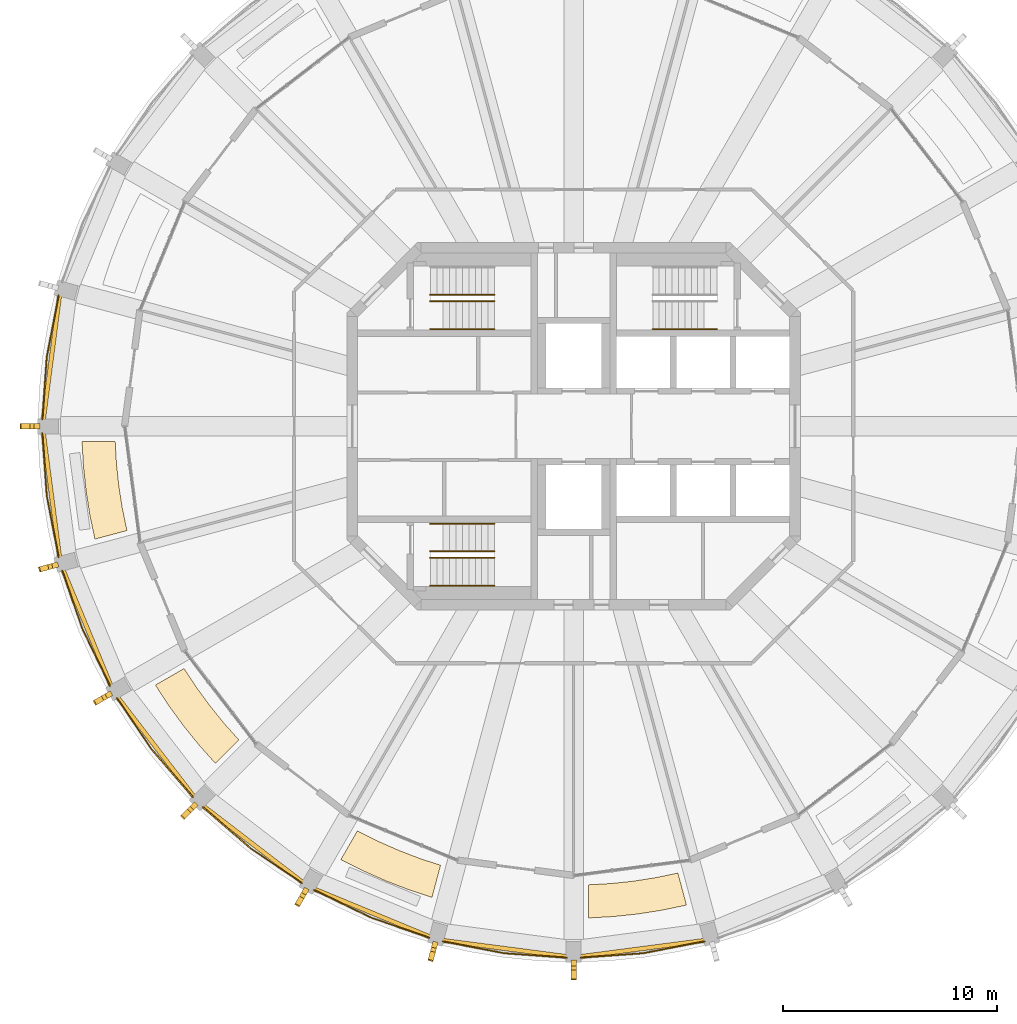
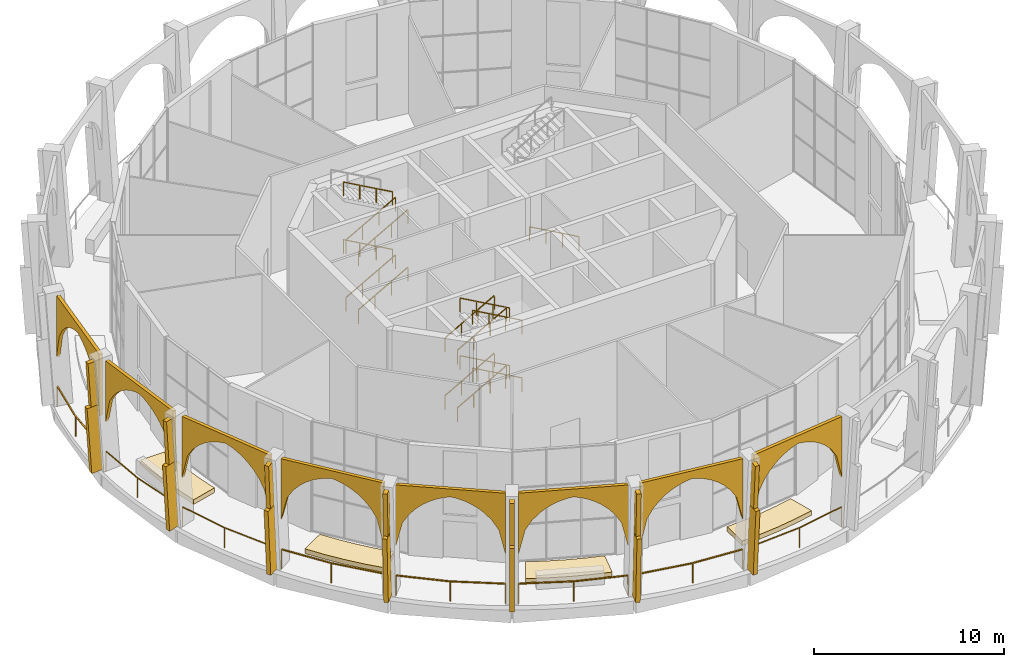
# One storey, part 15 of 17: 26 coverings, 23 railings.
"""IFC4 building model written with IfcOpenShell, lengths in metres."""

from ifc_helpers import new_model, si_unit, direction, frame, origin, origin_2d, place, context, subcontext, project, spatial, polyline, rectangle, outline, extrude, material, layer, layer_set, material_profile, profile_set, type_object, element, save


model = new_model("IFC4")

# Units and contexts
model_context = context("Model", 3, precision=1e-05, world=origin(), true_north=direction((0.0, 1.0)))
body_context = subcontext(model_context, "Body", "Model", "MODEL_VIEW")
ifc_project = project(units=[si_unit("LENGTHUNIT", "METRE"), si_unit("AREAUNIT", "SQUARE_METRE"), si_unit("VOLUMEUNIT", "CUBIC_METRE"), si_unit("PLANEANGLEUNIT", "RADIAN"), si_unit("MASSUNIT", "GRAM", prefix="KILO")], contexts=[model_context])

# Site, building, storey
site_placement = place(None, origin())
site = spatial("IfcSite", under=ifc_project, at=site_placement, CompositionType="ELEMENT")
building_placement = place(site_placement, origin())
building = spatial("IfcBuilding", under=site, at=building_placement, Name="Torre Triforio", CompositionType="ELEMENT")
storey_placement = place(building_placement, frame((0.0, 0.0, 276.0)))
storey = spatial("IfcBuildingStorey", under=building, at=storey_placement, Name="L64", CompositionType="ELEMENT", Elevation=276.0)

# Railings
ifc_material_1 = material(Name="Stainless steel AISI 316", Category="steel")
railing_type_1 = type_object("IfcRailingType", Name="HANDRAIL 920", PredefinedType="HANDRAIL", material=ifc_material_1)
for number, where, name in (
    (1, (-6.699951171875, 4.550048828125, 0.168212890625), "Handrail ST1"),
    (2, (-6.699951171875, 5.85009765625, 0.168212890625), "Handrail ST1"),
):
    element("IfcRailing", number, at=place(storey_placement, frame(where)), inside=storey, type_object=railing_type_1, Name=name, PredefinedType="HANDRAIL", context=body_context, shape_type="SweptSolid", body=[
        extrude(rectangle(XDim=0.048095703125, YDim=0.048095703125, at=origin_2d()), frame((0.0, 0.0, 0.89599609375), z_axis=(0.872272294576, 0.0, 0.489020494575), x_axis=(0.0, 1.0, 0.0)), (0.0, 0.0, 1.0), 3.439208984375),
        extrude(rectangle(XDim=0.0419921875, YDim=0.0419921875, at=origin_2d()), origin(), (0.0, 0.0, 1.0), 0.871826171875),
        extrude(rectangle(XDim=0.0419921875, YDim=0.0419921875, at=origin_2d()), frame((1.0, 0.0, 0.560546875)), (0.0, 0.0, 1.0), 0.871826171875),
        extrude(rectangle(XDim=0.0419921875, YDim=0.0419921875, at=origin_2d()), frame((2.0, 0.0, 1.121337890625)), (0.0, 0.0, 1.0), 0.871826171875),
        extrude(rectangle(XDim=0.0419921875, YDim=0.0419921875, at=origin_2d()), frame((3.0, 0.0, 1.681884765625)), (0.0, 0.0, 1.0), 0.871826171875),
    ])
railing_1_placement = place(storey_placement, frame((-3.699951171875, 6.14990234375, 2.01806640625)))
element("IfcRailing", 3, at=railing_1_placement, inside=storey, type_object=railing_type_1, Name="Handrail ST1", PredefinedType="HANDRAIL", context=body_context, shape_type="SweptSolid", body=[
    extrude(rectangle(XDim=0.048095703125, YDim=0.048095703125, at=origin_2d()), frame((0.0, 0.0, 0.89599609375), z_axis=(-0.872272294576, 0.0, 0.489020494575), x_axis=(0.0, -1.0, 0.0)), (0.0, 0.0, 1.0), 3.439208984375),
    extrude(rectangle(XDim=0.0419921875, YDim=0.0419921875, at=origin_2d()), origin(), (0.0, 0.0, 1.0), 0.871826171875),
    extrude(rectangle(XDim=0.0419921875, YDim=0.0419921875, at=origin_2d()), frame((-1.0, 0.0, 0.560546875)), (0.0, 0.0, 1.0), 0.871826171875),
    extrude(rectangle(XDim=0.0419921875, YDim=0.0419921875, at=origin_2d()), frame((-2.0, 0.0, 1.121337890625)), (0.0, 0.0, 1.0), 0.871826171875),
    extrude(rectangle(XDim=0.0419921875, YDim=0.0419921875, at=origin_2d()), frame((-3.0, 0.0, 1.681884765625)), (0.0, 0.0, 1.0), 0.871826171875),
])
for number, where, name in (
    (4, (-6.699951171875, 4.550048828125, 3.8681640625), "Handrail ST1"),
    (5, (-6.699951171875, 5.85009765625, 3.8681640625), "Handrail ST1"),
):
    element("IfcRailing", number, at=place(storey_placement, frame(where)), inside=storey, type_object=railing_type_1, Name=name, PredefinedType="HANDRAIL", context=body_context, shape_type="SweptSolid", body=[
        extrude(rectangle(XDim=0.048095703125, YDim=0.048095703125, at=origin_2d()), frame((0.0, 0.0, 0.89599609375), z_axis=(0.872272294576, 0.0, 0.489020494575), x_axis=(0.0, 1.0, 0.0)), (0.0, 0.0, 1.0), 3.439208984375),
        extrude(rectangle(XDim=0.0419921875, YDim=0.0419921875, at=origin_2d()), origin(), (0.0, 0.0, 1.0), 0.871826171875),
        extrude(rectangle(XDim=0.0419921875, YDim=0.0419921875, at=origin_2d()), frame((1.0, 0.0, 0.560546875)), (0.0, 0.0, 1.0), 0.871826171875),
        extrude(rectangle(XDim=0.0419921875, YDim=0.0419921875, at=origin_2d()), frame((2.0, 0.0, 1.121337890625)), (0.0, 0.0, 1.0), 0.871826171875),
        extrude(rectangle(XDim=0.0419921875, YDim=0.0419921875, at=origin_2d()), frame((3.0, 0.0, 1.681884765625)), (0.0, 0.0, 1.0), 0.871826171875),
    ])
railing_2_placement = place(storey_placement, frame((-3.699951171875, 6.14990234375, 5.71826171875)))
element("IfcRailing", 6, at=railing_2_placement, inside=storey, type_object=railing_type_1, Name="Handrail ST1", PredefinedType="HANDRAIL", context=body_context, shape_type="SweptSolid", body=[
    extrude(rectangle(XDim=0.048095703125, YDim=0.048095703125, at=origin_2d()), frame((0.0, 0.0, 0.89599609375), z_axis=(-0.872302573547, 0.0, 0.488966481656), x_axis=(0.0, -1.0, 0.0)), (0.0, 0.0, 1.0), 3.439208984375),
    extrude(rectangle(XDim=0.0419921875, YDim=0.0419921875, at=origin_2d()), origin(), (0.0, 0.0, 1.0), 0.871826171875),
    extrude(rectangle(XDim=0.0419921875, YDim=0.0419921875, at=origin_2d()), frame((-1.0, 0.0, 0.560546875)), (0.0, 0.0, 1.0), 0.871826171875),
    extrude(rectangle(XDim=0.0419921875, YDim=0.0419921875, at=origin_2d()), frame((-2.0, 0.0, 1.12109375)), (0.0, 0.0, 1.0), 0.871826171875),
    extrude(rectangle(XDim=0.0419921875, YDim=0.0419921875, at=origin_2d()), frame((-3.0, 0.0, 1.681640625)), (0.0, 0.0, 1.0), 0.871826171875),
])
railing_3_placement = place(storey_placement, frame((6.699951171875, 4.550048828125, 0.168212890625)))
element("IfcRailing", 7, at=railing_3_placement, inside=storey, type_object=railing_type_1, Name="Handrail ST2", PredefinedType="HANDRAIL", context=body_context, shape_type="SweptSolid", body=[
    extrude(rectangle(XDim=0.048095703125, YDim=0.048095703125, at=origin_2d()), frame((0.0, 0.0, 0.89599609375), z_axis=(-0.872272294576, 0.0, 0.489020494575), x_axis=(0.0, -1.0, 0.0)), (0.0, 0.0, 1.0), 3.439208984375),
    extrude(rectangle(XDim=0.0419921875, YDim=0.0419921875, at=origin_2d()), origin(), (0.0, 0.0, 1.0), 0.871826171875),
    extrude(rectangle(XDim=0.0419921875, YDim=0.0419921875, at=origin_2d()), frame((-1.0, 0.0, 0.560546875)), (0.0, 0.0, 1.0), 0.871826171875),
    extrude(rectangle(XDim=0.0419921875, YDim=0.0419921875, at=origin_2d()), frame((-2.0, 0.0, 1.121337890625)), (0.0, 0.0, 1.0), 0.871826171875),
    extrude(rectangle(XDim=0.0419921875, YDim=0.0419921875, at=origin_2d()), frame((-3.0, 0.0, 1.681884765625)), (0.0, 0.0, 1.0), 0.871826171875),
])
for number, where, name in (
    (8, (-6.699951171875, -4.550048828125, 0.168212890625), "Handrail ST3"),
    (9, (-6.699951171875, -5.85009765625, 0.168212890625), "Handrail ST3"),
):
    element("IfcRailing", number, at=place(storey_placement, frame(where)), inside=storey, type_object=railing_type_1, Name=name, PredefinedType="HANDRAIL", context=body_context, shape_type="SweptSolid", body=[
        extrude(rectangle(XDim=0.048095703125, YDim=0.048095703125, at=origin_2d()), frame((0.0, 0.0, 0.89599609375), z_axis=(0.872272294576, 0.0, 0.489020494575), x_axis=(0.0, 1.0, 0.0)), (0.0, 0.0, 1.0), 3.439208984375),
        extrude(rectangle(XDim=0.0419921875, YDim=0.0419921875, at=origin_2d()), origin(), (0.0, 0.0, 1.0), 0.871826171875),
        extrude(rectangle(XDim=0.0419921875, YDim=0.0419921875, at=origin_2d()), frame((1.0, 0.0, 0.560546875)), (0.0, 0.0, 1.0), 0.871826171875),
        extrude(rectangle(XDim=0.0419921875, YDim=0.0419921875, at=origin_2d()), frame((2.0, 0.0, 1.121337890625)), (0.0, 0.0, 1.0), 0.871826171875),
        extrude(rectangle(XDim=0.0419921875, YDim=0.0419921875, at=origin_2d()), frame((3.0, 0.0, 1.681884765625)), (0.0, 0.0, 1.0), 0.871826171875),
    ])
for number, where, name in (
    (10, (-3.699951171875, -7.449951171875, 2.01806640625), "Handrail ST3"),
    (11, (-3.699951171875, -6.14990234375, 2.01806640625), "Handrail ST3"),
):
    element("IfcRailing", number, at=place(storey_placement, frame(where)), inside=storey, type_object=railing_type_1, Name=name, PredefinedType="HANDRAIL", context=body_context, shape_type="SweptSolid", body=[
        extrude(rectangle(XDim=0.048095703125, YDim=0.048095703125, at=origin_2d()), frame((0.0, 0.0, 0.89599609375), z_axis=(-0.872272294576, 0.0, 0.489020494575), x_axis=(0.0, -1.0, 0.0)), (0.0, 0.0, 1.0), 3.439208984375),
        extrude(rectangle(XDim=0.0419921875, YDim=0.0419921875, at=origin_2d()), origin(), (0.0, 0.0, 1.0), 0.871826171875),
        extrude(rectangle(XDim=0.0419921875, YDim=0.0419921875, at=origin_2d()), frame((-1.0, 0.0, 0.560546875)), (0.0, 0.0, 1.0), 0.871826171875),
        extrude(rectangle(XDim=0.0419921875, YDim=0.0419921875, at=origin_2d()), frame((-2.0, 0.0, 1.121337890625)), (0.0, 0.0, 1.0), 0.871826171875),
        extrude(rectangle(XDim=0.0419921875, YDim=0.0419921875, at=origin_2d()), frame((-3.0, 0.0, 1.681884765625)), (0.0, 0.0, 1.0), 0.871826171875),
    ])
for number, where, name in (
    (12, (-6.699951171875, -4.550048828125, 3.8681640625), "Handrail ST3"),
    (13, (-6.699951171875, -5.85009765625, 3.8681640625), "Handrail ST3"),
):
    element("IfcRailing", number, at=place(storey_placement, frame(where)), inside=storey, type_object=railing_type_1, Name=name, PredefinedType="HANDRAIL", context=body_context, shape_type="SweptSolid", body=[
        extrude(rectangle(XDim=0.048095703125, YDim=0.048095703125, at=origin_2d()), frame((0.0, 0.0, 0.89599609375), z_axis=(0.872272294576, 0.0, 0.489020494575), x_axis=(0.0, 1.0, 0.0)), (0.0, 0.0, 1.0), 3.439208984375),
        extrude(rectangle(XDim=0.0419921875, YDim=0.0419921875, at=origin_2d()), origin(), (0.0, 0.0, 1.0), 0.871826171875),
        extrude(rectangle(XDim=0.0419921875, YDim=0.0419921875, at=origin_2d()), frame((1.0, 0.0, 0.560546875)), (0.0, 0.0, 1.0), 0.871826171875),
        extrude(rectangle(XDim=0.0419921875, YDim=0.0419921875, at=origin_2d()), frame((2.0, 0.0, 1.121337890625)), (0.0, 0.0, 1.0), 0.871826171875),
        extrude(rectangle(XDim=0.0419921875, YDim=0.0419921875, at=origin_2d()), frame((3.0, 0.0, 1.681884765625)), (0.0, 0.0, 1.0), 0.871826171875),
    ])
for number, where, name in (
    (14, (-3.699951171875, -7.449951171875, 5.71826171875), "Handrail ST3"),
    (15, (-3.699951171875, -6.14990234375, 5.71826171875), "Handrail ST3"),
):
    element("IfcRailing", number, at=place(storey_placement, frame(where)), inside=storey, type_object=railing_type_1, Name=name, PredefinedType="HANDRAIL", context=body_context, shape_type="SweptSolid", body=[
        extrude(rectangle(XDim=0.048095703125, YDim=0.048095703125, at=origin_2d()), frame((0.0, 0.0, 0.89599609375), z_axis=(-0.872302573547, 0.0, 0.488966481656), x_axis=(0.0, -1.0, 0.0)), (0.0, 0.0, 1.0), 3.439208984375),
        extrude(rectangle(XDim=0.0419921875, YDim=0.0419921875, at=origin_2d()), origin(), (0.0, 0.0, 1.0), 0.871826171875),
        extrude(rectangle(XDim=0.0419921875, YDim=0.0419921875, at=origin_2d()), frame((-1.0, 0.0, 0.560546875)), (0.0, 0.0, 1.0), 0.871826171875),
        extrude(rectangle(XDim=0.0419921875, YDim=0.0419921875, at=origin_2d()), frame((-2.0, 0.0, 1.12109375)), (0.0, 0.0, 1.0), 0.871826171875),
        extrude(rectangle(XDim=0.0419921875, YDim=0.0419921875, at=origin_2d()), frame((-3.0, 0.0, 1.681640625)), (0.0, 0.0, 1.0), 0.871826171875),
    ])

# Coverings
ifc_material_2 = material(Name="Limestone arch panel", Category="masonry")
ifc_layer_1 = layer(ifc_material_2, 0.199951171875)
ifc_layer_set_1 = layer_set([ifc_layer_1], Name="Limestone arch panel")
covering_type_1 = type_object("IfcCoveringType", Name="Lancet arch cladding panel 200", PredefinedType="CLADDING", material=ifc_layer_set_1)
for number, where, z_axis, x_axis, name in (
    (16, (-24.319580078125, 3.201904296875, 0.0), (-0.991607211055, 0.129287041048, 0.0), (-0.129287041048, -0.991607211055, 0.0), "Lancet arch panel L64 bay 12"),
    (17, (-24.319580078125, -3.201904296875, 0.0), (-0.991607211055, -0.129287041048, 0.0), (0.129287041048, -0.991607211055, 0.0), "Lancet arch panel L64 bay 13"),
):
    element("IfcCovering", number, at=place(storey_placement, frame(where, z_axis=z_axis, x_axis=x_axis)), inside=storey, type_object=covering_type_1, Name=name, PredefinedType="CLADDING", context=body_context, shape_type="SweptSolid", body=[
        extrude(outline(polyline([(-2.919921875, 7.1201171875), (-2.919921875, 3.1748046875), (-2.5546875, 4.72900390625), (-2.189697265625, 5.3115234375), (-1.824951171875, 5.714111328125), (-1.4599609375, 6.014892578125), (-1.094970703125, 6.243408203125), (-0.72998046875, 6.415283203125), (-0.364990234375, 6.5390625), (0.0, 6.6201171875), (0.364990234375, 6.5390625), (0.72998046875, 6.415283203125), (1.094970703125, 6.243408203125), (1.4599609375, 6.014892578125), (1.824951171875, 5.714111328125), (2.189697265625, 5.3115234375), (2.5546875, 4.72900390625), (2.919921875, 3.1748046875), (2.919921875, 7.1201171875), (-2.919921875, 7.1201171875)])), origin(), (0.0, 0.0, 1.0), 0.2001953125),
    ])
for number, where, z_axis, x_axis, name in (
    (18, (-22.662353515625, -9.38720703125, 0.0), (-0.924120904221, -0.382100188932, 0.0), (0.382100188932, -0.924120904221, 0.0), "Lancet arch panel L64 bay 14"),
    (19, (-19.460693359375, -14.9326171875, 0.0), (-0.793213368033, -0.608943800998, 0.0), (0.608943800998, -0.793213368033, 0.0), "Lancet arch panel L64 bay 15"),
    (20, (-14.9326171875, -19.460693359375, 0.0), (-0.608943800998, -0.793213368033, 0.0), (0.793213368033, -0.608943800998, 0.0), "Lancet arch panel L64 bay 16"),
    (21, (-9.38720703125, -22.662353515625, 0.0), (-0.382100188932, -0.924120904221, 0.0), (0.924120904221, -0.382100188932, 0.0), "Lancet arch panel L64 bay 17"),
):
    element("IfcCovering", number, at=place(storey_placement, frame(where, z_axis=z_axis, x_axis=x_axis)), inside=storey, type_object=covering_type_1, Name=name, PredefinedType="CLADDING", context=body_context, shape_type="SweptSolid", body=[
        extrude(outline(polyline([(-2.919921875, 7.1201171875), (-2.919921875, 3.1748046875), (-2.5546875, 4.72900390625), (-2.189697265625, 5.3115234375), (-1.824951171875, 5.714111328125), (-1.4599609375, 6.014892578125), (-1.094970703125, 6.243408203125), (-0.72998046875, 6.415283203125), (-0.364990234375, 6.5390625), (0.0, 6.6201171875), (0.364990234375, 6.5390625), (0.72998046875, 6.415283203125), (1.094970703125, 6.243408203125), (1.4599609375, 6.014892578125), (1.824951171875, 5.714111328125), (2.189697265625, 5.3115234375), (2.5546875, 4.72900390625), (2.919921875, 3.1748046875), (2.919921875, 7.1201171875), (-2.919921875, 7.1201171875)])), origin(), (0.0, 0.0, 1.0), 0.199951171875),
    ])
for number, where, z_axis, x_axis, name in (
    (22, (-3.201904296875, -24.319580078125, 0.0), (-0.129287041048, -0.991607211055, 0.0), (0.991607211055, -0.129287041048, 0.0), "Lancet arch panel L64 bay 18"),
    (23, (3.201904296875, -24.319580078125, 0.0), (0.129287041048, -0.991607211055, 0.0), (0.991607211055, 0.129287041048, 0.0), "Lancet arch panel L64 bay 19"),
):
    element("IfcCovering", number, at=place(storey_placement, frame(where, z_axis=z_axis, x_axis=x_axis)), inside=storey, type_object=covering_type_1, Name=name, PredefinedType="CLADDING", context=body_context, shape_type="SweptSolid", body=[
        extrude(outline(polyline([(-2.919921875, 7.1201171875), (-2.919921875, 3.1748046875), (-2.5546875, 4.72900390625), (-2.189697265625, 5.3115234375), (-1.824951171875, 5.714111328125), (-1.4599609375, 6.014892578125), (-1.094970703125, 6.243408203125), (-0.72998046875, 6.415283203125), (-0.364990234375, 6.5390625), (0.0, 6.6201171875), (0.364990234375, 6.5390625), (0.72998046875, 6.415283203125), (1.094970703125, 6.243408203125), (1.4599609375, 6.014892578125), (1.824951171875, 5.714111328125), (2.189697265625, 5.3115234375), (2.5546875, 4.72900390625), (2.919921875, 3.1748046875), (2.919921875, 7.1201171875), (-2.919921875, 7.1201171875)])), origin(), (0.0, 0.0, 1.0), 0.2001953125),
    ])

# Railings
railing_type_2 = type_object("IfcRailingType", Name="Loggia guard 1300", PredefinedType="GUARDRAIL", material=ifc_material_1)
railing_4_placement = place(storey_placement, frame((-24.086181640625, 6.12255859375, 0.0)))
element("IfcRailing", 24, at=railing_4_placement, inside=storey, type_object=railing_type_2, Name="Loggia guard L64 bay 12", PredefinedType="GUARDRAIL", context=body_context, shape_type="SweptSolid", body=[
    extrude(rectangle(XDim=0.050048828125, YDim=0.050048828125, at=origin_2d()), frame((0.0, 0.0, 1.27490234375), z_axis=(-0.188068851895, -0.982155846568, 0.0), x_axis=(0.982155846568, -0.188068851895, 0.0)), (0.0, 0.0, 1.0), 2.93115234375),
    extrude(rectangle(XDim=0.050048828125, YDim=0.050048828125, at=origin_2d()), frame((-0.55126953125, -2.87890625, 1.27490234375), z_axis=(-0.072543227511, -0.997365269168, 0.0), x_axis=(0.997365269168, -0.072543227511, 0.0)), (0.0, 0.0, 1.0), 2.931396484375),
    extrude(rectangle(XDim=0.0400390625, YDim=0.0400390625, at=origin_2d()), origin(), (0.0, 0.0, 1.0), 1.25),
    extrude(rectangle(XDim=0.0400390625, YDim=0.0400390625, at=origin_2d()), frame((-0.55126953125, -2.87890625, 0.0)), (0.0, 0.0, 1.0), 1.25),
    extrude(rectangle(XDim=0.0400390625, YDim=0.0400390625, at=origin_2d()), frame((-0.763916015625, -5.802490234375, 0.0)), (0.0, 0.0, 1.0), 1.25),
])
railing_5_placement = place(storey_placement, frame((-24.85009765625, -0.320068359375, 0.0)))
element("IfcRailing", 25, at=railing_5_placement, inside=storey, type_object=railing_type_2, Name="Loggia guard L64 bay 13", PredefinedType="GUARDRAIL", context=body_context, shape_type="SweptSolid", body=[
    extrude(rectangle(XDim=0.050048828125, YDim=0.050048828125, at=origin_2d()), frame((0.0, 0.0, 1.27490234375), z_axis=(0.072543227511, -0.997365269168, 0.0), x_axis=(0.997365269168, 0.072543227511, 0.0)), (0.0, 0.0, 1.0), 2.931396484375),
    extrude(rectangle(XDim=0.050048828125, YDim=0.050048828125, at=origin_2d()), frame((0.212646484375, -2.923583984375, 1.27490234375), z_axis=(0.188068851895, -0.982155846568, 0.0), x_axis=(0.982155846568, 0.188068851895, 0.0)), (0.0, 0.0, 1.0), 2.93115234375),
    extrude(rectangle(XDim=0.0400390625, YDim=0.0400390625, at=origin_2d()), origin(), (0.0, 0.0, 1.0), 1.25),
    extrude(rectangle(XDim=0.0400390625, YDim=0.0400390625, at=origin_2d()), frame((0.212646484375, -2.923583984375, 0.0)), (0.0, 0.0, 1.0), 1.25),
    extrude(rectangle(XDim=0.0400390625, YDim=0.0400390625, at=origin_2d()), frame((0.763916015625, -5.802490234375, 0.0)), (0.0, 0.0, 1.0), 1.25),
])
railing_6_placement = place(storey_placement, frame((-23.92041015625, -6.74072265625, 0.0)))
element("IfcRailing", 26, at=railing_6_placement, inside=storey, type_object=railing_type_2, Name="Loggia guard L64 bay 14", PredefinedType="GUARDRAIL", context=body_context, shape_type="SweptSolid", body=[
    extrude(rectangle(XDim=0.050048828125, YDim=0.050048828125, at=origin_2d()), frame((0.0, 0.0, 1.27490234375), z_axis=(0.328145883403, -0.944627058264, 0.0), x_axis=(0.944627058264, 0.328145883403, 0.0)), (0.0, 0.0, 1.0), 2.931396484375),
    extrude(rectangle(XDim=0.050048828125, YDim=0.050048828125, at=origin_2d()), frame((0.9619140625, -2.76904296875, 1.27490234375), z_axis=(0.435917913275, -0.899986429279, 0.0), x_axis=(0.899986429279, 0.435917913275, 0.0)), (0.0, 0.0, 1.0), 2.931396484375),
    extrude(rectangle(XDim=0.0400390625, YDim=0.0400390625, at=origin_2d()), origin(), (0.0, 0.0, 1.0), 1.25),
    extrude(rectangle(XDim=0.0400390625, YDim=0.0400390625, at=origin_2d()), frame((0.9619140625, -2.76904296875, 0.0)), (0.0, 0.0, 1.0), 1.25),
    extrude(rectangle(XDim=0.0400390625, YDim=0.0400390625, at=origin_2d()), frame((2.23974609375, -5.4072265625, 0.0)), (0.0, 0.0, 1.0), 1.25),
])
railing_7_placement = place(storey_placement, frame((-21.360595703125, -12.7021484375, 0.0)))
element("IfcRailing", 27, at=railing_7_placement, inside=storey, type_object=railing_type_2, Name="Loggia guard L64 bay 15", PredefinedType="GUARDRAIL", context=body_context, shape_type="SweptSolid", body=[
    extrude(rectangle(XDim=0.050048828125, YDim=0.050048828125, at=origin_2d()), frame((0.0, 0.0, 1.27490234375), z_axis=(0.561466791934, -0.827499269821, 0.0), x_axis=(0.827499269821, 0.561466791934, 0.0)), (0.0, 0.0, 1.0), 2.93115234375),
    extrude(rectangle(XDim=0.050048828125, YDim=0.050048828125, at=origin_2d()), frame((1.645751953125, -2.425537109375, 1.27490234375), z_axis=(0.653981928353, -0.756510170049, 0.0), x_axis=(0.756510170049, 0.653981928353, 0.0)), (0.0, 0.0, 1.0), 2.93115234375),
    extrude(rectangle(XDim=0.0400390625, YDim=0.0400390625, at=origin_2d()), origin(), (0.0, 0.0, 1.0), 1.25),
    extrude(rectangle(XDim=0.0400390625, YDim=0.0400390625, at=origin_2d()), frame((1.645751953125, -2.425537109375, 0.0)), (0.0, 0.0, 1.0), 1.25),
    extrude(rectangle(XDim=0.0400390625, YDim=0.0400390625, at=origin_2d()), frame((3.562744140625, -4.64306640625, 0.0)), (0.0, 0.0, 1.0), 1.25),
])
railing_8_placement = place(storey_placement, frame((-17.34521484375, -17.7978515625, 0.0)))
element("IfcRailing", 28, at=railing_8_placement, inside=storey, type_object=railing_type_2, Name="Loggia guard L64 bay 16", PredefinedType="GUARDRAIL", context=body_context, shape_type="SweptSolid", body=[
    extrude(rectangle(XDim=0.050048828125, YDim=0.050048828125, at=origin_2d()), frame((0.0, 0.0, 1.27490234375), z_axis=(0.756510170049, -0.653981928353, 0.0), x_axis=(0.653981928353, 0.756510170049, 0.0)), (0.0, 0.0, 1.0), 2.93115234375),
    extrude(rectangle(XDim=0.050048828125, YDim=0.050048828125, at=origin_2d()), frame((2.217529296875, -1.9169921875, 1.27490234375), z_axis=(0.827499269821, -0.561466791934, 0.0), x_axis=(0.561466791934, 0.827499269821, 0.0)), (0.0, 0.0, 1.0), 2.93115234375),
    extrude(rectangle(XDim=0.0400390625, YDim=0.0400390625, at=origin_2d()), origin(), (0.0, 0.0, 1.0), 1.25),
    extrude(rectangle(XDim=0.0400390625, YDim=0.0400390625, at=origin_2d()), frame((2.217529296875, -1.9169921875, 0.0)), (0.0, 0.0, 1.0), 1.25),
    extrude(rectangle(XDim=0.0400390625, YDim=0.0400390625, at=origin_2d()), frame((4.64306640625, -3.562744140625, 0.0)), (0.0, 0.0, 1.0), 1.25),
])
railing_9_placement = place(storey_placement, frame((-12.14794921875, -21.6806640625, 0.0)))
element("IfcRailing", 29, at=railing_9_placement, inside=storey, type_object=railing_type_2, Name="Loggia guard L64 bay 17", PredefinedType="GUARDRAIL", context=body_context, shape_type="SweptSolid", body=[
    extrude(rectangle(XDim=0.050048828125, YDim=0.050048828125, at=origin_2d()), frame((0.0, 0.0, 1.27490234375), z_axis=(0.899986429279, -0.435917913275, 0.0), x_axis=(0.435917913275, 0.899986429279, 0.0)), (0.0, 0.0, 1.0), 2.931396484375),
    extrude(rectangle(XDim=0.050048828125, YDim=0.050048828125, at=origin_2d()), frame((2.63818359375, -1.27783203125, 1.27490234375), z_axis=(0.944627058264, -0.328145883403, 0.0), x_axis=(0.328145883403, 0.944627058264, 0.0)), (0.0, 0.0, 1.0), 2.931396484375),
    extrude(rectangle(XDim=0.0400390625, YDim=0.0400390625, at=origin_2d()), origin(), (0.0, 0.0, 1.0), 1.25),
    extrude(rectangle(XDim=0.0400390625, YDim=0.0400390625, at=origin_2d()), frame((2.63818359375, -1.27783203125, 0.0)), (0.0, 0.0, 1.0), 1.25),
    extrude(rectangle(XDim=0.0400390625, YDim=0.0400390625, at=origin_2d()), frame((5.4072265625, -2.23974609375, 0.0)), (0.0, 0.0, 1.0), 1.25),
])
railing_10_placement = place(storey_placement, frame((-6.12255859375, -24.086181640625, 0.0)))
element("IfcRailing", 30, at=railing_10_placement, inside=storey, type_object=railing_type_2, Name="Loggia guard L64 bay 18", PredefinedType="GUARDRAIL", context=body_context, shape_type="SweptSolid", body=[
    extrude(rectangle(XDim=0.050048828125, YDim=0.050048828125, at=origin_2d()), frame((0.0, 0.0, 1.27490234375), z_axis=(0.982155846568, -0.188068851895, 0.0), x_axis=(0.188068851895, 0.982155846568, 0.0)), (0.0, 0.0, 1.0), 2.93115234375),
    extrude(rectangle(XDim=0.050048828125, YDim=0.050048828125, at=origin_2d()), frame((2.87890625, -0.55126953125, 1.27490234375), z_axis=(0.997365269168, -0.072543227511, 0.0), x_axis=(0.072543227511, 0.997365269168, 0.0)), (0.0, 0.0, 1.0), 2.931396484375),
    extrude(rectangle(XDim=0.0400390625, YDim=0.0400390625, at=origin_2d()), origin(), (0.0, 0.0, 1.0), 1.25),
    extrude(rectangle(XDim=0.0400390625, YDim=0.0400390625, at=origin_2d()), frame((2.87890625, -0.55126953125, 0.0)), (0.0, 0.0, 1.0), 1.25),
    extrude(rectangle(XDim=0.0400390625, YDim=0.0400390625, at=origin_2d()), frame((5.802490234375, -0.763916015625, 0.0)), (0.0, 0.0, 1.0), 1.25),
])
railing_11_placement = place(storey_placement, frame((0.320068359375, -24.85009765625, 0.0)))
element("IfcRailing", 31, at=railing_11_placement, inside=storey, type_object=railing_type_2, Name="Loggia guard L64 bay 19", PredefinedType="GUARDRAIL", context=body_context, shape_type="SweptSolid", body=[
    extrude(rectangle(XDim=0.050048828125, YDim=0.050048828125, at=origin_2d()), frame((0.0, 0.0, 1.27490234375), z_axis=(0.997365269168, 0.072543227511, 0.0), x_axis=(-0.072543227511, 0.997365269168, 0.0)), (0.0, 0.0, 1.0), 2.931396484375),
    extrude(rectangle(XDim=0.050048828125, YDim=0.050048828125, at=origin_2d()), frame((2.923583984375, 0.212646484375, 1.27490234375), z_axis=(0.982155846568, 0.188068851895, 0.0), x_axis=(-0.188068851895, 0.982155846568, 0.0)), (0.0, 0.0, 1.0), 2.93115234375),
    extrude(rectangle(XDim=0.0400390625, YDim=0.0400390625, at=origin_2d()), origin(), (0.0, 0.0, 1.0), 1.25),
    extrude(rectangle(XDim=0.0400390625, YDim=0.0400390625, at=origin_2d()), frame((2.923583984375, 0.212646484375, 0.0)), (0.0, 0.0, 1.0), 1.25),
    extrude(rectangle(XDim=0.0400390625, YDim=0.0400390625, at=origin_2d()), frame((5.802490234375, 0.763916015625, 0.0)), (0.0, 0.0, 1.0), 1.25),
])

# Coverings
ifc_material_3 = material(Name="Planted topsoil bed")
ifc_layer_2 = layer(ifc_material_3, 0.300048828125)
ifc_layer_set_2 = layer_set([ifc_layer_2], Name="Planted topsoil bed")
covering_type_2 = type_object("IfcCoveringType", Name="Planted bed 300", PredefinedType="FLOORING", material=ifc_layer_set_2)
covering_1_placement = place(storey_placement, origin())
element("IfcCovering", 32, at=covering_1_placement, inside=storey, type_object=covering_type_2, Name="Sky garden L64 planted bed 13", PredefinedType="FLOORING", context=body_context, shape_type="SweptSolid", body=[
    extrude(outline(polyline([(-21.438720703125, -0.69970703125), (-21.37841796875, -1.751708984375), (-21.2666015625, -2.7998046875), (-21.103271484375, -3.841064453125), (-20.88916015625, -4.872802734375), (-22.38720703125, -5.274169921875), (-22.623779296875, -4.143310546875), (-22.80322265625, -3.002197265625), (-22.92529296875, -1.853271484375), (-22.989501953125, -0.69970703125), (-21.438720703125, -0.69970703125)])), origin(), (0.0, 0.0, 1.0), 0.300048828125),
])
covering_2_placement = place(storey_placement, origin())
element("IfcCovering", 33, at=covering_2_placement, inside=storey, type_object=covering_type_2, Name="Sky garden L64 planted bed 15", PredefinedType="FLOORING", context=body_context, shape_type="SweptSolid", body=[
    extrude(outline(polyline([(-18.216552734375, -11.3251953125), (-17.63818359375, -12.206298828125), (-17.017333984375, -13.057861328125), (-16.35546875, -13.8779296875), (-15.654052734375, -14.664794921875), (-16.750732421875, -15.76123046875), (-17.52099609375, -14.900146484375), (-18.2470703125, -14.00146484375), (-18.92724609375, -13.067626953125), (-19.5595703125, -12.1005859375), (-18.216552734375, -11.3251953125)])), origin(), (0.0, 0.0, 1.0), 0.300048828125),
])
covering_3_placement = place(storey_placement, origin())
element("IfcCovering", 34, at=covering_3_placement, inside=storey, type_object=covering_type_2, Name="Sky garden L64 planted bed 17", PredefinedType="FLOORING", context=body_context, shape_type="SweptSolid", body=[
    extrude(outline(polyline([(-10.11328125, -18.916259765625), (-9.172119140625, -19.39013671875), (-8.20849609375, -19.817138671875), (-7.225341796875, -20.196533203125), (-6.224609375, -20.527099609375), (-6.6259765625, -22.02490234375), (-7.7236328125, -21.664306640625), (-8.8017578125, -21.249267578125), (-9.857666015625, -20.780517578125), (-10.888671875, -20.25927734375), (-10.11328125, -18.916259765625)])), origin(), (0.0, 0.0, 1.0), 0.300048828125),
])
covering_4_placement = place(storey_placement, origin())
element("IfcCovering", 35, at=covering_4_placement, inside=storey, type_object=covering_type_2, Name="Sky garden L64 planted bed 19", PredefinedType="FLOORING", context=body_context, shape_type="SweptSolid", body=[
    extrude(outline(polyline([(0.69970703125, -21.438720703125), (1.751708984375, -21.37841796875), (2.7998046875, -21.2666015625), (3.841064453125, -21.103271484375), (4.872802734375, -20.88916015625), (5.274169921875, -22.38720703125), (4.143310546875, -22.623779296875), (3.002197265625, -22.80322265625), (1.853271484375, -22.92529296875), (0.69970703125, -22.989501953125), (0.69970703125, -21.438720703125)])), origin(), (0.0, 0.0, 1.0), 0.300048828125),
])
ifc_material_4 = material(Name="Limestone fin", Category="masonry")
ifc_material_profile_1 = material_profile(ifc_material_4, rectangle(XDim=0.39990234375, YDim=0.25, at=origin_2d()), Name="FIN 400x250")
ifc_profile_set_1 = profile_set([ifc_material_profile_1], Name="Limestone fin")
covering_type_3 = type_object("IfcCoveringType", Name="Stone fin 400 x 250", PredefinedType="CLADDING", material=ifc_profile_set_1)
for number, where, z_axis, x_axis, name in (
    (36, (-25.440185546875, 0.0, 4.27197265625), (-0.067393149312, 0.0, 0.997726497306), (0.997726497306, 0.0, 0.067393149312), "Stone fin C13 L64 upper"),
    (37, (-24.5732421875, -6.58447265625, 4.27197265625), (-0.065169203831, -0.017446873467, 0.997721695403), (0.96378118794, 0.258020160551, 0.06746420178), "Stone fin C14 L64 upper"),
    (38, (-22.03173828125, -12.72021484375, 4.27197265625), (-0.058412930848, -0.03369647841, 0.997723647536), (0.864234907365, 0.498548394586, 0.067435325664), "Stone fin C15 L64 upper"),
    (39, (-17.989013671875, -17.989013671875, 4.27197265625), (-0.047637113446, -0.047637113446, 0.997728124714), (0.705500322766, 0.705500322766, 0.067369051908), "Stone fin C16 L64 upper"),
    (40, (-12.72021484375, -22.03173828125, 4.27197265625), (-0.03369647841, -0.058412930848, 0.997723647536), (0.498548394586, 0.864234907365, 0.067435325664), "Stone fin C17 L64 upper"),
    (41, (-6.58447265625, -24.5732421875, 4.27197265625), (-0.017446873467, -0.065169203831, 0.997721695403), (0.258020160551, 0.96378118794, 0.06746420178), "Stone fin C18 L64 upper"),
    (42, (0.0, -25.440185546875, 4.27197265625), (0.0, -0.067393149312, 0.997726497306), (0.0, 0.997726497306, 0.067393149312), "Stone fin C19 L64 upper"),
):
    element("IfcCovering", number, at=place(storey_placement, frame(where, z_axis=z_axis, x_axis=x_axis)), inside=storey, type_object=covering_type_3, Name=name, PredefinedType="CLADDING", context=body_context, shape_type="SweptSolid", body=[
        extrude(rectangle(XDim=0.39990234375, YDim=0.25, at=origin_2d()), origin(), (0.0, 0.0, 1.0), 2.854736328125),
    ])
ifc_material_profile_2 = material_profile(ifc_material_4, rectangle(XDim=0.64990234375, YDim=0.25, at=origin_2d()), Name="FIN 650x250")
ifc_profile_set_2 = profile_set([ifc_material_profile_2], Name="Limestone fin")
covering_type_4 = type_object("IfcCoveringType", Name="Stone fin 650 x 250", PredefinedType="CLADDING", material=ifc_profile_set_2)
for number, where, z_axis, x_axis, name in (
    (43, (-25.27685546875, 0.0, 0.0), (-0.067396983295, 0.0, 0.997726238325), (0.997726238325, 0.0, 0.067396983295), "Stone fin C13 L64"),
    (44, (-24.41552734375, -6.5419921875, 0.0), (-0.065116133962, -0.017447930816, 0.997725141914), (0.963728055471, 0.258231860748, 0.067413212295), "Stone fin C14 L64"),
    (45, (-21.890380859375, -12.638427734375, 0.0), (-0.058387841505, -0.033698451494, 0.997725049466), (0.864130750227, 0.498731712289, 0.067414580535), "Stone fin C15 L64"),
    (46, (-17.873291015625, -17.873291015625, 0.0), (-0.047668203765, -0.047668203765, 0.99772515489), (0.705498222783, 0.705498222783, 0.067413020259), "Stone fin C16 L64"),
    (47, (-12.638427734375, -21.890380859375, 0.0), (-0.033698451494, -0.058387841505, 0.997725049466), (0.498731712289, 0.864130750227, 0.067414580535), "Stone fin C17 L64"),
    (48, (-6.5419921875, -24.41552734375, 0.0), (-0.017447930816, -0.065116133962, 0.997725141914), (0.258231860748, 0.963728055471, 0.067413212295), "Stone fin C18 L64"),
    (49, (0.0, -25.27685546875, 0.0), (0.0, -0.067396983295, 0.997726238325), (0.0, 0.997726238325, 0.067396983295), "Stone fin C19 L64"),
):
    element("IfcCovering", number, at=place(storey_placement, frame(where, z_axis=z_axis, x_axis=x_axis)), inside=storey, type_object=covering_type_4, Name=name, PredefinedType="CLADDING", context=body_context, shape_type="SweptSolid", body=[
        extrude(rectangle(XDim=0.64990234375, YDim=0.25, at=origin_2d()), origin(), (0.0, 0.0, 1.0), 4.28173828125),
    ])

save(model, "model.ifc")
